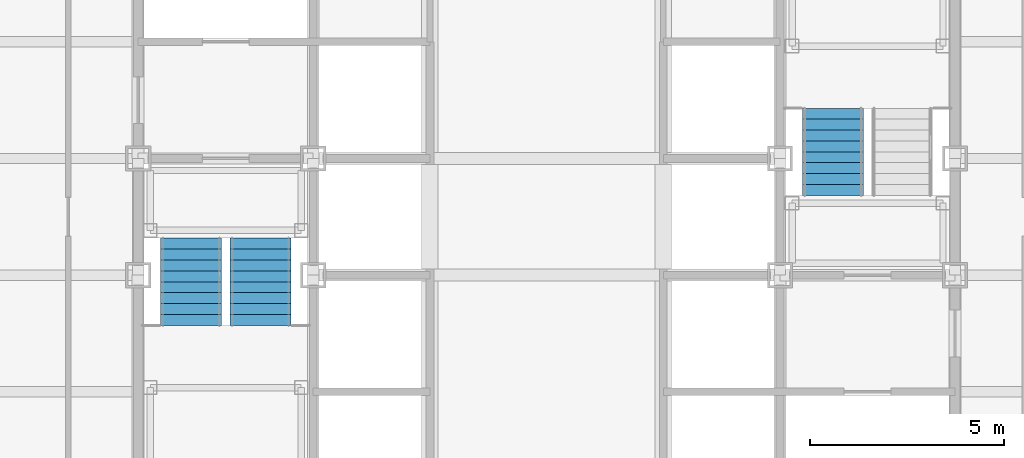
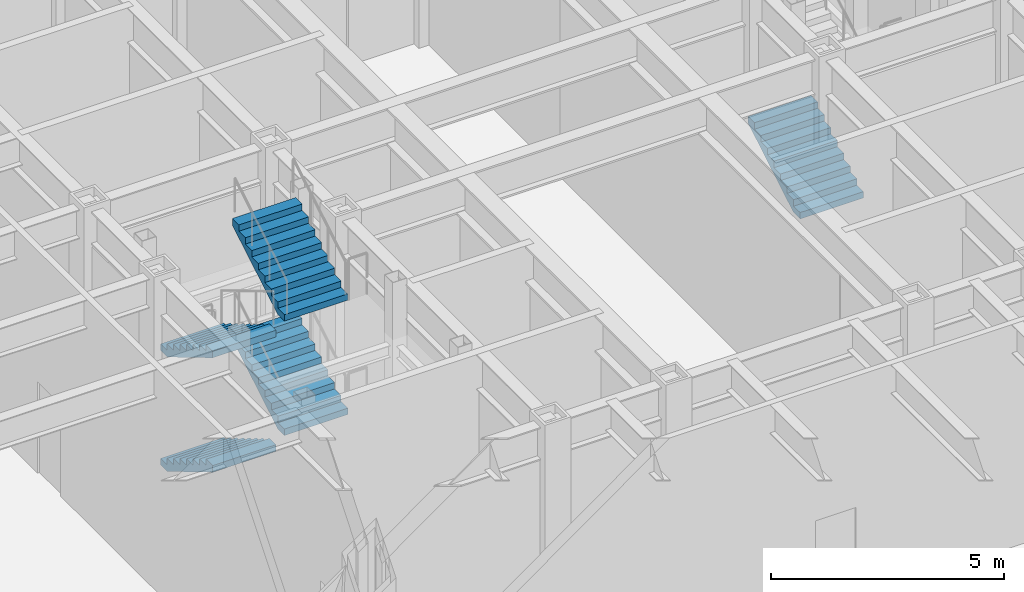
# One storey, part 19 of 28: 5 stair flights, 2 elements without a shape of their own.
"""IFC4 building model written with IfcOpenShell, lengths in metres."""

from ifc_helpers import new_model, si_unit, direction, frame, origin, place, context, subcontext, project, spatial, faceted_brep, material, type_object, element, aggregate, save


model = new_model("IFC4")

# Units and contexts
model_context = context("Model", 3, precision=1e-05, world=origin(), true_north=direction((0.0, 1.0)))
body_context = subcontext(model_context, "Body", "Model", "MODEL_VIEW")
ifc_project = project(units=[si_unit("LENGTHUNIT", "METRE"), si_unit("AREAUNIT", "SQUARE_METRE"), si_unit("VOLUMEUNIT", "CUBIC_METRE"), si_unit("PLANEANGLEUNIT", "RADIAN"), si_unit("MASSUNIT", "GRAM", prefix="KILO")], contexts=[model_context])

# Site, building, storey
site_placement = place(None, origin())
site = spatial("IfcSite", under=ifc_project, at=site_placement, CompositionType="ELEMENT")
building_placement = place(site_placement, origin())
building = spatial("IfcBuilding", under=site, at=building_placement, Name="Chuquiago Exchange Tower", CompositionType="ELEMENT")
storey_placement = place(building_placement, frame((0.0, 0.0, 174.0)))
storey = spatial("IfcBuildingStorey", under=building, at=storey_placement, Name="L38", CompositionType="ELEMENT", Elevation=174.0)

# Stair, stair flights
ifc_material_1 = material(Name="Concrete C30/37, precast", Category="concrete")
stair_type_1 = type_object("IfcStairType", Name="ST1 double half-turn stair 6000", PredefinedType="DOUBLE_RETURN_STAIR", material=ifc_material_1)
stair_1_placement = place(storey_placement, origin())
stair_1 = element("IfcStair", 1, at=stair_1_placement, inside=storey, type_object=stair_type_1, Name="Stair ST1 L38", PredefinedType="DOUBLE_RETURN_STAIR")
ifc_material_2 = material(Name="Concrete C30/37, precast", Category="concrete")
stair_flight_type = type_object("IfcStairFlightType", Name="ST-F flight 1570 for 6000 storey", PredefinedType="STRAIGHT", material=ifc_material_2)
stair_flight_1_placement = place(storey_placement, frame((13.360107421875, 21.949951171875, 0.0), z_axis=(0.0, 0.0, 1.0), x_axis=(0.0, -1.0, 0.0)))
stair_flight_1 = element("IfcStairFlight", 2, at=stair_flight_1_placement, type_object=stair_flight_type, Name="ST1 flight 1", NumberOfRisers=9, NumberOfTreads=8, PredefinedType="STRAIGHT", RiserHeight=0.166666667, TreadLength=0.28, context=body_context, shape_type="Brep", body=[
    faceted_brep([(0.0, 0.78515625, 0.0), (0.0, 0.78515625, 0.166748046875), (0.280029296875, 0.78515625, 0.166748046875), (0.280029296875, 0.78515625, 0.333251953125), (0.56005859375, 0.78515625, 0.333251953125), (0.56005859375, 0.78515625, 0.5), (0.840087890625, 0.78515625, 0.5), (0.840087890625, 0.78515625, 0.666748046875), (1.1201171875, 0.78515625, 0.666748046875), (1.1201171875, 0.78515625, 0.833251953125), (1.39990234375, 0.78515625, 0.833251953125), (1.39990234375, 0.78515625, 1.0), (1.679931640625, 0.78515625, 1.0), (1.679931640625, 0.78515625, 1.166748046875), (1.9599609375, 0.78515625, 1.166748046875), (1.9599609375, 0.78515625, 1.333251953125), (2.239990234375, 0.78515625, 1.333251953125), (2.239990234375, 0.78515625, 1.158935546875), (0.29296875, 0.78515625, 0.0), (0.29296875, -0.78515625, 0.0), (2.239990234375, -0.78515625, 1.158935546875), (2.239990234375, -0.78515625, 1.333251953125), (1.9599609375, -0.78515625, 1.333251953125), (1.9599609375, -0.78515625, 1.166748046875), (1.679931640625, -0.78515625, 1.166748046875), (1.679931640625, -0.78515625, 1.0), (1.39990234375, -0.78515625, 1.0), (1.39990234375, -0.78515625, 0.833251953125), (1.1201171875, -0.78515625, 0.833251953125), (1.1201171875, -0.78515625, 0.666748046875), (0.840087890625, -0.78515625, 0.666748046875), (0.840087890625, -0.78515625, 0.5), (0.56005859375, -0.78515625, 0.5), (0.56005859375, -0.78515625, 0.333251953125), (0.280029296875, -0.78515625, 0.333251953125), (0.280029296875, -0.78515625, 0.166748046875), (0.0, -0.78515625, 0.166748046875), (0.0, -0.78515625, 0.0), (0.0, 0.392578125, 0.0), (0.0, 0.392578125, 0.166748046875), (0.0, 0.0, 0.0), (0.0, 0.0, 0.166748046875), (0.0, -0.392578125, 0.0), (0.0, -0.392578125, 0.166748046875), (0.280029296875, 0.392578125, 0.166748046875), (0.280029296875, 0.0, 0.166748046875), (0.280029296875, -0.392578125, 0.166748046875), (0.280029296875, 0.392578125, 0.333251953125), (0.280029296875, 0.0, 0.333251953125), (0.280029296875, -0.392578125, 0.333251953125), (0.56005859375, 0.392578125, 0.333251953125), (0.56005859375, 0.0, 0.333251953125), (0.56005859375, -0.392578125, 0.333251953125), (0.56005859375, 0.392578125, 0.5), (0.56005859375, 0.0, 0.5), (0.56005859375, -0.392578125, 0.5), (0.840087890625, 0.392578125, 0.5), (0.840087890625, 0.0, 0.5), (0.840087890625, -0.392578125, 0.5), (0.840087890625, 0.392578125, 0.666748046875), (0.840087890625, 0.0, 0.666748046875), (0.840087890625, -0.392578125, 0.666748046875), (1.1201171875, 0.392578125, 0.666748046875), (1.1201171875, 0.0, 0.666748046875), (1.1201171875, -0.392578125, 0.666748046875), (1.1201171875, 0.392578125, 0.833251953125), (1.1201171875, 0.0, 0.833251953125), (1.1201171875, -0.392578125, 0.833251953125), (1.39990234375, 0.392578125, 0.833251953125), (1.39990234375, 0.0, 0.833251953125), (1.39990234375, -0.392578125, 0.833251953125), (1.39990234375, 0.392578125, 1.0), (1.39990234375, 0.0, 1.0), (1.39990234375, -0.392578125, 1.0), (1.679931640625, 0.392578125, 1.0), (1.679931640625, 0.0, 1.0), (1.679931640625, -0.392578125, 1.0), (1.679931640625, 0.392578125, 1.166748046875), (1.679931640625, 0.0, 1.166748046875), (1.679931640625, -0.392578125, 1.166748046875), (1.9599609375, 0.392578125, 1.166748046875), (1.9599609375, 0.0, 1.166748046875), (1.9599609375, -0.392578125, 1.166748046875), (1.9599609375, 0.392578125, 1.333251953125), (1.9599609375, 0.0, 1.333251953125), (1.9599609375, -0.392578125, 1.333251953125), (2.239990234375, 0.392578125, 1.333251953125), (2.239990234375, 0.0, 1.333251953125), (2.239990234375, -0.392578125, 1.333251953125), (2.239990234375, 0.392578125, 1.158935546875), (2.239990234375, 0.0, 1.158935546875), (2.239990234375, -0.392578125, 1.158935546875), (0.29296875, 0.392578125, 0.0), (0.29296875, 0.0, 0.0), (0.29296875, -0.392578125, 0.0)], [[[0, 1, 2, 3, 4, 5, 6, 7, 8, 9, 10, 11, 12, 13, 14, 15, 16, 17, 18]], [[19, 20, 21, 22, 23, 24, 25, 26, 27, 28, 29, 30, 31, 32, 33, 34, 35, 36, 37]], [[1, 0, 38, 39]], [[39, 38, 40, 41]], [[41, 40, 42, 43]], [[43, 42, 37, 36]], [[2, 1, 39, 44]], [[44, 39, 41, 45]], [[45, 41, 43, 46]], [[46, 43, 36, 35]], [[3, 2, 44, 47]], [[47, 44, 45, 48]], [[48, 45, 46, 49]], [[49, 46, 35, 34]], [[4, 3, 47, 50]], [[50, 47, 48, 51]], [[51, 48, 49, 52]], [[52, 49, 34, 33]], [[5, 4, 50, 53]], [[53, 50, 51, 54]], [[54, 51, 52, 55]], [[55, 52, 33, 32]], [[6, 5, 53, 56]], [[56, 53, 54, 57]], [[57, 54, 55, 58]], [[58, 55, 32, 31]], [[7, 6, 56, 59]], [[59, 56, 57, 60]], [[60, 57, 58, 61]], [[61, 58, 31, 30]], [[8, 7, 59, 62]], [[62, 59, 60, 63]], [[63, 60, 61, 64]], [[64, 61, 30, 29]], [[9, 8, 62, 65]], [[65, 62, 63, 66]], [[66, 63, 64, 67]], [[67, 64, 29, 28]], [[10, 9, 65, 68]], [[68, 65, 66, 69]], [[69, 66, 67, 70]], [[70, 67, 28, 27]], [[11, 10, 68, 71]], [[71, 68, 69, 72]], [[72, 69, 70, 73]], [[73, 70, 27, 26]], [[12, 11, 71, 74]], [[74, 71, 72, 75]], [[75, 72, 73, 76]], [[76, 73, 26, 25]], [[13, 12, 74, 77]], [[77, 74, 75, 78]], [[78, 75, 76, 79]], [[79, 76, 25, 24]], [[14, 13, 77, 80]], [[80, 77, 78, 81]], [[81, 78, 79, 82]], [[82, 79, 24, 23]], [[15, 14, 80, 83]], [[83, 80, 81, 84]], [[84, 81, 82, 85]], [[85, 82, 23, 22]], [[16, 15, 83, 86]], [[86, 83, 84, 87]], [[87, 84, 85, 88]], [[88, 85, 22, 21]], [[17, 16, 86, 89]], [[89, 86, 87, 90]], [[90, 87, 88, 91]], [[91, 88, 21, 20]], [[18, 17, 89, 92]], [[92, 89, 90, 93]], [[93, 90, 91, 94]], [[94, 91, 20, 19]], [[0, 18, 92, 38]], [[38, 92, 93, 40]], [[40, 93, 94, 42]], [[42, 94, 19, 37]]]),
])
stair_flight_2_placement = place(storey_placement, frame((15.139892578125, 19.7099609375, 1.5), z_axis=(0.0, 0.0, 1.0), x_axis=(0.0, 1.0, 0.0)))
stair_flight_2 = element("IfcStairFlight", 3, at=stair_flight_2_placement, type_object=stair_flight_type, Name="ST1 flight 2", NumberOfRisers=9, NumberOfTreads=8, PredefinedType="STRAIGHT", RiserHeight=0.166666667, TreadLength=0.28, context=body_context, shape_type="Brep", body=[
    faceted_brep([(0.0, 0.78515625, 0.0), (0.0, 0.78515625, 0.166748046875), (0.280029296875, 0.78515625, 0.166748046875), (0.280029296875, 0.78515625, 0.333251953125), (0.56005859375, 0.78515625, 0.333251953125), (0.56005859375, 0.78515625, 0.5), (0.840087890625, 0.78515625, 0.5), (0.840087890625, 0.78515625, 0.666748046875), (1.1201171875, 0.78515625, 0.666748046875), (1.1201171875, 0.78515625, 0.833251953125), (1.39990234375, 0.78515625, 0.833251953125), (1.39990234375, 0.78515625, 1.0), (1.679931640625, 0.78515625, 1.0), (1.679931640625, 0.78515625, 1.166748046875), (1.9599609375, 0.78515625, 1.166748046875), (1.9599609375, 0.78515625, 1.333251953125), (2.239990234375, 0.78515625, 1.333251953125), (2.239990234375, 0.78515625, 1.158935546875), (0.29296875, 0.78515625, 0.0), (0.29296875, -0.78515625, 0.0), (2.239990234375, -0.78515625, 1.158935546875), (2.239990234375, -0.78515625, 1.333251953125), (1.9599609375, -0.78515625, 1.333251953125), (1.9599609375, -0.78515625, 1.166748046875), (1.679931640625, -0.78515625, 1.166748046875), (1.679931640625, -0.78515625, 1.0), (1.39990234375, -0.78515625, 1.0), (1.39990234375, -0.78515625, 0.833251953125), (1.1201171875, -0.78515625, 0.833251953125), (1.1201171875, -0.78515625, 0.666748046875), (0.840087890625, -0.78515625, 0.666748046875), (0.840087890625, -0.78515625, 0.5), (0.56005859375, -0.78515625, 0.5), (0.56005859375, -0.78515625, 0.333251953125), (0.280029296875, -0.78515625, 0.333251953125), (0.280029296875, -0.78515625, 0.166748046875), (0.0, -0.78515625, 0.166748046875), (0.0, -0.78515625, 0.0), (0.0, 0.392578125, 0.0), (0.0, 0.392578125, 0.166748046875), (0.0, 0.0, 0.0), (0.0, 0.0, 0.166748046875), (0.0, -0.392578125, 0.0), (0.0, -0.392578125, 0.166748046875), (0.280029296875, 0.392578125, 0.166748046875), (0.280029296875, 0.0, 0.166748046875), (0.280029296875, -0.392578125, 0.166748046875), (0.280029296875, 0.392578125, 0.333251953125), (0.280029296875, 0.0, 0.333251953125), (0.280029296875, -0.392578125, 0.333251953125), (0.56005859375, 0.392578125, 0.333251953125), (0.56005859375, 0.0, 0.333251953125), (0.56005859375, -0.392578125, 0.333251953125), (0.56005859375, 0.392578125, 0.5), (0.56005859375, 0.0, 0.5), (0.56005859375, -0.392578125, 0.5), (0.840087890625, 0.392578125, 0.5), (0.840087890625, 0.0, 0.5), (0.840087890625, -0.392578125, 0.5), (0.840087890625, 0.392578125, 0.666748046875), (0.840087890625, 0.0, 0.666748046875), (0.840087890625, -0.392578125, 0.666748046875), (1.1201171875, 0.392578125, 0.666748046875), (1.1201171875, 0.0, 0.666748046875), (1.1201171875, -0.392578125, 0.666748046875), (1.1201171875, 0.392578125, 0.833251953125), (1.1201171875, 0.0, 0.833251953125), (1.1201171875, -0.392578125, 0.833251953125), (1.39990234375, 0.392578125, 0.833251953125), (1.39990234375, 0.0, 0.833251953125), (1.39990234375, -0.392578125, 0.833251953125), (1.39990234375, 0.392578125, 1.0), (1.39990234375, 0.0, 1.0), (1.39990234375, -0.392578125, 1.0), (1.679931640625, 0.392578125, 1.0), (1.679931640625, 0.0, 1.0), (1.679931640625, -0.392578125, 1.0), (1.679931640625, 0.392578125, 1.166748046875), (1.679931640625, 0.0, 1.166748046875), (1.679931640625, -0.392578125, 1.166748046875), (1.9599609375, 0.392578125, 1.166748046875), (1.9599609375, 0.0, 1.166748046875), (1.9599609375, -0.392578125, 1.166748046875), (1.9599609375, 0.392578125, 1.333251953125), (1.9599609375, 0.0, 1.333251953125), (1.9599609375, -0.392578125, 1.333251953125), (2.239990234375, 0.392578125, 1.333251953125), (2.239990234375, 0.0, 1.333251953125), (2.239990234375, -0.392578125, 1.333251953125), (2.239990234375, 0.392578125, 1.158935546875), (2.239990234375, 0.0, 1.158935546875), (2.239990234375, -0.392578125, 1.158935546875), (0.29296875, 0.392578125, 0.0), (0.29296875, 0.0, 0.0), (0.29296875, -0.392578125, 0.0)], [[[0, 1, 2, 3, 4, 5, 6, 7, 8, 9, 10, 11, 12, 13, 14, 15, 16, 17, 18]], [[19, 20, 21, 22, 23, 24, 25, 26, 27, 28, 29, 30, 31, 32, 33, 34, 35, 36, 37]], [[1, 0, 38, 39]], [[39, 38, 40, 41]], [[41, 40, 42, 43]], [[43, 42, 37, 36]], [[2, 1, 39, 44]], [[44, 39, 41, 45]], [[45, 41, 43, 46]], [[46, 43, 36, 35]], [[3, 2, 44, 47]], [[47, 44, 45, 48]], [[48, 45, 46, 49]], [[49, 46, 35, 34]], [[4, 3, 47, 50]], [[50, 47, 48, 51]], [[51, 48, 49, 52]], [[52, 49, 34, 33]], [[5, 4, 50, 53]], [[53, 50, 51, 54]], [[54, 51, 52, 55]], [[55, 52, 33, 32]], [[6, 5, 53, 56]], [[56, 53, 54, 57]], [[57, 54, 55, 58]], [[58, 55, 32, 31]], [[7, 6, 56, 59]], [[59, 56, 57, 60]], [[60, 57, 58, 61]], [[61, 58, 31, 30]], [[8, 7, 59, 62]], [[62, 59, 60, 63]], [[63, 60, 61, 64]], [[64, 61, 30, 29]], [[9, 8, 62, 65]], [[65, 62, 63, 66]], [[66, 63, 64, 67]], [[67, 64, 29, 28]], [[10, 9, 65, 68]], [[68, 65, 66, 69]], [[69, 66, 67, 70]], [[70, 67, 28, 27]], [[11, 10, 68, 71]], [[71, 68, 69, 72]], [[72, 69, 70, 73]], [[73, 70, 27, 26]], [[12, 11, 71, 74]], [[74, 71, 72, 75]], [[75, 72, 73, 76]], [[76, 73, 26, 25]], [[13, 12, 74, 77]], [[77, 74, 75, 78]], [[78, 75, 76, 79]], [[79, 76, 25, 24]], [[14, 13, 77, 80]], [[80, 77, 78, 81]], [[81, 78, 79, 82]], [[82, 79, 24, 23]], [[15, 14, 80, 83]], [[83, 80, 81, 84]], [[84, 81, 82, 85]], [[85, 82, 23, 22]], [[16, 15, 83, 86]], [[86, 83, 84, 87]], [[87, 84, 85, 88]], [[88, 85, 22, 21]], [[17, 16, 86, 89]], [[89, 86, 87, 90]], [[90, 87, 88, 91]], [[91, 88, 21, 20]], [[18, 17, 89, 92]], [[92, 89, 90, 93]], [[93, 90, 91, 94]], [[94, 91, 20, 19]], [[0, 18, 92, 38]], [[38, 92, 93, 40]], [[40, 93, 94, 42]], [[42, 94, 19, 37]]]),
])
stair_flight_3_placement = place(storey_placement, frame((13.360107421875, 21.949951171875, 3.0), z_axis=(0.0, 0.0, 1.0), x_axis=(0.0, -1.0, 0.0)))
stair_flight_3 = element("IfcStairFlight", 4, at=stair_flight_3_placement, type_object=stair_flight_type, Name="ST1 flight 3", NumberOfRisers=9, NumberOfTreads=8, PredefinedType="STRAIGHT", RiserHeight=0.166666667, TreadLength=0.28, context=body_context, shape_type="Brep", body=[
    faceted_brep([(0.0, 0.78515625, 0.0), (0.0, 0.78515625, 0.166748046875), (0.280029296875, 0.78515625, 0.166748046875), (0.280029296875, 0.78515625, 0.333251953125), (0.56005859375, 0.78515625, 0.333251953125), (0.56005859375, 0.78515625, 0.5), (0.840087890625, 0.78515625, 0.5), (0.840087890625, 0.78515625, 0.666748046875), (1.1201171875, 0.78515625, 0.666748046875), (1.1201171875, 0.78515625, 0.833251953125), (1.39990234375, 0.78515625, 0.833251953125), (1.39990234375, 0.78515625, 1.0), (1.679931640625, 0.78515625, 1.0), (1.679931640625, 0.78515625, 1.166748046875), (1.9599609375, 0.78515625, 1.166748046875), (1.9599609375, 0.78515625, 1.333251953125), (2.239990234375, 0.78515625, 1.333251953125), (2.239990234375, 0.78515625, 1.158935546875), (0.29296875, 0.78515625, 0.0), (0.29296875, -0.78515625, 0.0), (2.239990234375, -0.78515625, 1.158935546875), (2.239990234375, -0.78515625, 1.333251953125), (1.9599609375, -0.78515625, 1.333251953125), (1.9599609375, -0.78515625, 1.166748046875), (1.679931640625, -0.78515625, 1.166748046875), (1.679931640625, -0.78515625, 1.0), (1.39990234375, -0.78515625, 1.0), (1.39990234375, -0.78515625, 0.833251953125), (1.1201171875, -0.78515625, 0.833251953125), (1.1201171875, -0.78515625, 0.666748046875), (0.840087890625, -0.78515625, 0.666748046875), (0.840087890625, -0.78515625, 0.5), (0.56005859375, -0.78515625, 0.5), (0.56005859375, -0.78515625, 0.333251953125), (0.280029296875, -0.78515625, 0.333251953125), (0.280029296875, -0.78515625, 0.166748046875), (0.0, -0.78515625, 0.166748046875), (0.0, -0.78515625, 0.0), (0.0, 0.392578125, 0.0), (0.0, 0.392578125, 0.166748046875), (0.0, 0.0, 0.0), (0.0, 0.0, 0.166748046875), (0.0, -0.392578125, 0.0), (0.0, -0.392578125, 0.166748046875), (0.280029296875, 0.392578125, 0.166748046875), (0.280029296875, 0.0, 0.166748046875), (0.280029296875, -0.392578125, 0.166748046875), (0.280029296875, 0.392578125, 0.333251953125), (0.280029296875, 0.0, 0.333251953125), (0.280029296875, -0.392578125, 0.333251953125), (0.56005859375, 0.392578125, 0.333251953125), (0.56005859375, 0.0, 0.333251953125), (0.56005859375, -0.392578125, 0.333251953125), (0.56005859375, 0.392578125, 0.5), (0.56005859375, 0.0, 0.5), (0.56005859375, -0.392578125, 0.5), (0.840087890625, 0.392578125, 0.5), (0.840087890625, 0.0, 0.5), (0.840087890625, -0.392578125, 0.5), (0.840087890625, 0.392578125, 0.666748046875), (0.840087890625, 0.0, 0.666748046875), (0.840087890625, -0.392578125, 0.666748046875), (1.1201171875, 0.392578125, 0.666748046875), (1.1201171875, 0.0, 0.666748046875), (1.1201171875, -0.392578125, 0.666748046875), (1.1201171875, 0.392578125, 0.833251953125), (1.1201171875, 0.0, 0.833251953125), (1.1201171875, -0.392578125, 0.833251953125), (1.39990234375, 0.392578125, 0.833251953125), (1.39990234375, 0.0, 0.833251953125), (1.39990234375, -0.392578125, 0.833251953125), (1.39990234375, 0.392578125, 1.0), (1.39990234375, 0.0, 1.0), (1.39990234375, -0.392578125, 1.0), (1.679931640625, 0.392578125, 1.0), (1.679931640625, 0.0, 1.0), (1.679931640625, -0.392578125, 1.0), (1.679931640625, 0.392578125, 1.166748046875), (1.679931640625, 0.0, 1.166748046875), (1.679931640625, -0.392578125, 1.166748046875), (1.9599609375, 0.392578125, 1.166748046875), (1.9599609375, 0.0, 1.166748046875), (1.9599609375, -0.392578125, 1.166748046875), (1.9599609375, 0.392578125, 1.333251953125), (1.9599609375, 0.0, 1.333251953125), (1.9599609375, -0.392578125, 1.333251953125), (2.239990234375, 0.392578125, 1.333251953125), (2.239990234375, 0.0, 1.333251953125), (2.239990234375, -0.392578125, 1.333251953125), (2.239990234375, 0.392578125, 1.158935546875), (2.239990234375, 0.0, 1.158935546875), (2.239990234375, -0.392578125, 1.158935546875), (0.29296875, 0.392578125, 0.0), (0.29296875, 0.0, 0.0), (0.29296875, -0.392578125, 0.0)], [[[0, 1, 2, 3, 4, 5, 6, 7, 8, 9, 10, 11, 12, 13, 14, 15, 16, 17, 18]], [[19, 20, 21, 22, 23, 24, 25, 26, 27, 28, 29, 30, 31, 32, 33, 34, 35, 36, 37]], [[1, 0, 38, 39]], [[39, 38, 40, 41]], [[41, 40, 42, 43]], [[43, 42, 37, 36]], [[2, 1, 39, 44]], [[44, 39, 41, 45]], [[45, 41, 43, 46]], [[46, 43, 36, 35]], [[3, 2, 44, 47]], [[47, 44, 45, 48]], [[48, 45, 46, 49]], [[49, 46, 35, 34]], [[4, 3, 47, 50]], [[50, 47, 48, 51]], [[51, 48, 49, 52]], [[52, 49, 34, 33]], [[5, 4, 50, 53]], [[53, 50, 51, 54]], [[54, 51, 52, 55]], [[55, 52, 33, 32]], [[6, 5, 53, 56]], [[56, 53, 54, 57]], [[57, 54, 55, 58]], [[58, 55, 32, 31]], [[7, 6, 56, 59]], [[59, 56, 57, 60]], [[60, 57, 58, 61]], [[61, 58, 31, 30]], [[8, 7, 59, 62]], [[62, 59, 60, 63]], [[63, 60, 61, 64]], [[64, 61, 30, 29]], [[9, 8, 62, 65]], [[65, 62, 63, 66]], [[66, 63, 64, 67]], [[67, 64, 29, 28]], [[10, 9, 65, 68]], [[68, 65, 66, 69]], [[69, 66, 67, 70]], [[70, 67, 28, 27]], [[11, 10, 68, 71]], [[71, 68, 69, 72]], [[72, 69, 70, 73]], [[73, 70, 27, 26]], [[12, 11, 71, 74]], [[74, 71, 72, 75]], [[75, 72, 73, 76]], [[76, 73, 26, 25]], [[13, 12, 74, 77]], [[77, 74, 75, 78]], [[78, 75, 76, 79]], [[79, 76, 25, 24]], [[14, 13, 77, 80]], [[80, 77, 78, 81]], [[81, 78, 79, 82]], [[82, 79, 24, 23]], [[15, 14, 80, 83]], [[83, 80, 81, 84]], [[84, 81, 82, 85]], [[85, 82, 23, 22]], [[16, 15, 83, 86]], [[86, 83, 84, 87]], [[87, 84, 85, 88]], [[88, 85, 22, 21]], [[17, 16, 86, 89]], [[89, 86, 87, 90]], [[90, 87, 88, 91]], [[91, 88, 21, 20]], [[18, 17, 89, 92]], [[92, 89, 90, 93]], [[93, 90, 91, 94]], [[94, 91, 20, 19]], [[0, 18, 92, 38]], [[38, 92, 93, 40]], [[40, 93, 94, 42]], [[42, 94, 19, 37]]]),
])
stair_flight_4_placement = place(storey_placement, frame((15.139892578125, 19.7099609375, 4.5), z_axis=(0.0, 0.0, 1.0), x_axis=(0.0, 1.0, 0.0)))
stair_flight_4 = element("IfcStairFlight", 5, at=stair_flight_4_placement, type_object=stair_flight_type, Name="ST1 flight 4", NumberOfRisers=9, NumberOfTreads=8, PredefinedType="STRAIGHT", RiserHeight=0.166666667, TreadLength=0.28, context=body_context, shape_type="Brep", body=[
    faceted_brep([(0.0, 0.78515625, 0.0), (0.0, 0.78515625, 0.166748046875), (0.280029296875, 0.78515625, 0.166748046875), (0.280029296875, 0.78515625, 0.333251953125), (0.56005859375, 0.78515625, 0.333251953125), (0.56005859375, 0.78515625, 0.5), (0.840087890625, 0.78515625, 0.5), (0.840087890625, 0.78515625, 0.666748046875), (1.1201171875, 0.78515625, 0.666748046875), (1.1201171875, 0.78515625, 0.833251953125), (1.39990234375, 0.78515625, 0.833251953125), (1.39990234375, 0.78515625, 1.0), (1.679931640625, 0.78515625, 1.0), (1.679931640625, 0.78515625, 1.166748046875), (1.9599609375, 0.78515625, 1.166748046875), (1.9599609375, 0.78515625, 1.333251953125), (2.239990234375, 0.78515625, 1.333251953125), (2.239990234375, 0.78515625, 1.158935546875), (0.29296875, 0.78515625, 0.0), (0.29296875, -0.78515625, 0.0), (2.239990234375, -0.78515625, 1.158935546875), (2.239990234375, -0.78515625, 1.333251953125), (1.9599609375, -0.78515625, 1.333251953125), (1.9599609375, -0.78515625, 1.166748046875), (1.679931640625, -0.78515625, 1.166748046875), (1.679931640625, -0.78515625, 1.0), (1.39990234375, -0.78515625, 1.0), (1.39990234375, -0.78515625, 0.833251953125), (1.1201171875, -0.78515625, 0.833251953125), (1.1201171875, -0.78515625, 0.666748046875), (0.840087890625, -0.78515625, 0.666748046875), (0.840087890625, -0.78515625, 0.5), (0.56005859375, -0.78515625, 0.5), (0.56005859375, -0.78515625, 0.333251953125), (0.280029296875, -0.78515625, 0.333251953125), (0.280029296875, -0.78515625, 0.166748046875), (0.0, -0.78515625, 0.166748046875), (0.0, -0.78515625, 0.0), (0.0, 0.392578125, 0.0), (0.0, 0.392578125, 0.166748046875), (0.0, 0.0, 0.0), (0.0, 0.0, 0.166748046875), (0.0, -0.392578125, 0.0), (0.0, -0.392578125, 0.166748046875), (0.280029296875, 0.392578125, 0.166748046875), (0.280029296875, 0.0, 0.166748046875), (0.280029296875, -0.392578125, 0.166748046875), (0.280029296875, 0.392578125, 0.333251953125), (0.280029296875, 0.0, 0.333251953125), (0.280029296875, -0.392578125, 0.333251953125), (0.56005859375, 0.392578125, 0.333251953125), (0.56005859375, 0.0, 0.333251953125), (0.56005859375, -0.392578125, 0.333251953125), (0.56005859375, 0.392578125, 0.5), (0.56005859375, 0.0, 0.5), (0.56005859375, -0.392578125, 0.5), (0.840087890625, 0.392578125, 0.5), (0.840087890625, 0.0, 0.5), (0.840087890625, -0.392578125, 0.5), (0.840087890625, 0.392578125, 0.666748046875), (0.840087890625, 0.0, 0.666748046875), (0.840087890625, -0.392578125, 0.666748046875), (1.1201171875, 0.392578125, 0.666748046875), (1.1201171875, 0.0, 0.666748046875), (1.1201171875, -0.392578125, 0.666748046875), (1.1201171875, 0.392578125, 0.833251953125), (1.1201171875, 0.0, 0.833251953125), (1.1201171875, -0.392578125, 0.833251953125), (1.39990234375, 0.392578125, 0.833251953125), (1.39990234375, 0.0, 0.833251953125), (1.39990234375, -0.392578125, 0.833251953125), (1.39990234375, 0.392578125, 1.0), (1.39990234375, 0.0, 1.0), (1.39990234375, -0.392578125, 1.0), (1.679931640625, 0.392578125, 1.0), (1.679931640625, 0.0, 1.0), (1.679931640625, -0.392578125, 1.0), (1.679931640625, 0.392578125, 1.166748046875), (1.679931640625, 0.0, 1.166748046875), (1.679931640625, -0.392578125, 1.166748046875), (1.9599609375, 0.392578125, 1.166748046875), (1.9599609375, 0.0, 1.166748046875), (1.9599609375, -0.392578125, 1.166748046875), (1.9599609375, 0.392578125, 1.333251953125), (1.9599609375, 0.0, 1.333251953125), (1.9599609375, -0.392578125, 1.333251953125), (2.239990234375, 0.392578125, 1.333251953125), (2.239990234375, 0.0, 1.333251953125), (2.239990234375, -0.392578125, 1.333251953125), (2.239990234375, 0.392578125, 1.158935546875), (2.239990234375, 0.0, 1.158935546875), (2.239990234375, -0.392578125, 1.158935546875), (0.29296875, 0.392578125, 0.0), (0.29296875, 0.0, 0.0), (0.29296875, -0.392578125, 0.0)], [[[0, 1, 2, 3, 4, 5, 6, 7, 8, 9, 10, 11, 12, 13, 14, 15, 16, 17, 18]], [[19, 20, 21, 22, 23, 24, 25, 26, 27, 28, 29, 30, 31, 32, 33, 34, 35, 36, 37]], [[1, 0, 38, 39]], [[39, 38, 40, 41]], [[41, 40, 42, 43]], [[43, 42, 37, 36]], [[2, 1, 39, 44]], [[44, 39, 41, 45]], [[45, 41, 43, 46]], [[46, 43, 36, 35]], [[3, 2, 44, 47]], [[47, 44, 45, 48]], [[48, 45, 46, 49]], [[49, 46, 35, 34]], [[4, 3, 47, 50]], [[50, 47, 48, 51]], [[51, 48, 49, 52]], [[52, 49, 34, 33]], [[5, 4, 50, 53]], [[53, 50, 51, 54]], [[54, 51, 52, 55]], [[55, 52, 33, 32]], [[6, 5, 53, 56]], [[56, 53, 54, 57]], [[57, 54, 55, 58]], [[58, 55, 32, 31]], [[7, 6, 56, 59]], [[59, 56, 57, 60]], [[60, 57, 58, 61]], [[61, 58, 31, 30]], [[8, 7, 59, 62]], [[62, 59, 60, 63]], [[63, 60, 61, 64]], [[64, 61, 30, 29]], [[9, 8, 62, 65]], [[65, 62, 63, 66]], [[66, 63, 64, 67]], [[67, 64, 29, 28]], [[10, 9, 65, 68]], [[68, 65, 66, 69]], [[69, 66, 67, 70]], [[70, 67, 28, 27]], [[11, 10, 68, 71]], [[71, 68, 69, 72]], [[72, 69, 70, 73]], [[73, 70, 27, 26]], [[12, 11, 71, 74]], [[74, 71, 72, 75]], [[75, 72, 73, 76]], [[76, 73, 26, 25]], [[13, 12, 74, 77]], [[77, 74, 75, 78]], [[78, 75, 76, 79]], [[79, 76, 25, 24]], [[14, 13, 77, 80]], [[80, 77, 78, 81]], [[81, 78, 79, 82]], [[82, 79, 24, 23]], [[15, 14, 80, 83]], [[83, 80, 81, 84]], [[84, 81, 82, 85]], [[85, 82, 23, 22]], [[16, 15, 83, 86]], [[86, 83, 84, 87]], [[87, 84, 85, 88]], [[88, 85, 22, 21]], [[17, 16, 86, 89]], [[89, 86, 87, 90]], [[90, 87, 88, 91]], [[91, 88, 21, 20]], [[18, 17, 89, 92]], [[92, 89, 90, 93]], [[93, 90, 91, 94]], [[94, 91, 20, 19]], [[0, 18, 92, 38]], [[38, 92, 93, 40]], [[40, 93, 94, 42]], [[42, 94, 19, 37]]]),
])
aggregate(stair_1, [stair_flight_1, stair_flight_2, stair_flight_3, stair_flight_4])

# Stair, stair flight
ifc_material_3 = material(Name="Concrete C30/37, precast", Category="concrete")
stair_type_2 = type_object("IfcStairType", Name="ST2 double half-turn stair 6000", PredefinedType="DOUBLE_RETURN_STAIR", material=ifc_material_3)
stair_2_placement = place(storey_placement, origin())
stair_2 = element("IfcStair", 6, at=stair_2_placement, inside=storey, type_object=stair_type_2, Name="Stair ST2 L38", PredefinedType="DOUBLE_RETURN_STAIR")
stair_flight_5_placement = place(storey_placement, frame((29.860107421875, 23.050048828125, 0.0), z_axis=(0.0, 0.0, 1.0), x_axis=(0.0, 1.0, 0.0)))
stair_flight_5 = element("IfcStairFlight", 7, at=stair_flight_5_placement, type_object=stair_flight_type, Name="ST2 flight 1", NumberOfRisers=9, NumberOfTreads=8, PredefinedType="STRAIGHT", RiserHeight=0.166666667, TreadLength=0.28, context=body_context, shape_type="Brep", body=[
    faceted_brep([(0.0, 0.78515625, 0.0), (0.0, 0.78515625, 0.166748046875), (0.280029296875, 0.78515625, 0.166748046875), (0.280029296875, 0.78515625, 0.333251953125), (0.56005859375, 0.78515625, 0.333251953125), (0.56005859375, 0.78515625, 0.5), (0.840087890625, 0.78515625, 0.5), (0.840087890625, 0.78515625, 0.666748046875), (1.1201171875, 0.78515625, 0.666748046875), (1.1201171875, 0.78515625, 0.833251953125), (1.39990234375, 0.78515625, 0.833251953125), (1.39990234375, 0.78515625, 1.0), (1.679931640625, 0.78515625, 1.0), (1.679931640625, 0.78515625, 1.166748046875), (1.9599609375, 0.78515625, 1.166748046875), (1.9599609375, 0.78515625, 1.333251953125), (2.239990234375, 0.78515625, 1.333251953125), (2.239990234375, 0.78515625, 1.158935546875), (0.29296875, 0.78515625, 0.0), (0.29296875, -0.78515625, 0.0), (2.239990234375, -0.78515625, 1.158935546875), (2.239990234375, -0.78515625, 1.333251953125), (1.9599609375, -0.78515625, 1.333251953125), (1.9599609375, -0.78515625, 1.166748046875), (1.679931640625, -0.78515625, 1.166748046875), (1.679931640625, -0.78515625, 1.0), (1.39990234375, -0.78515625, 1.0), (1.39990234375, -0.78515625, 0.833251953125), (1.1201171875, -0.78515625, 0.833251953125), (1.1201171875, -0.78515625, 0.666748046875), (0.840087890625, -0.78515625, 0.666748046875), (0.840087890625, -0.78515625, 0.5), (0.56005859375, -0.78515625, 0.5), (0.56005859375, -0.78515625, 0.333251953125), (0.280029296875, -0.78515625, 0.333251953125), (0.280029296875, -0.78515625, 0.166748046875), (0.0, -0.78515625, 0.166748046875), (0.0, -0.78515625, 0.0), (0.0, 0.392578125, 0.0), (0.0, 0.392578125, 0.166748046875), (0.0, 0.0, 0.0), (0.0, 0.0, 0.166748046875), (0.0, -0.392578125, 0.0), (0.0, -0.392578125, 0.166748046875), (0.280029296875, 0.392578125, 0.166748046875), (0.280029296875, 0.0, 0.166748046875), (0.280029296875, -0.392578125, 0.166748046875), (0.280029296875, 0.392578125, 0.333251953125), (0.280029296875, 0.0, 0.333251953125), (0.280029296875, -0.392578125, 0.333251953125), (0.56005859375, 0.392578125, 0.333251953125), (0.56005859375, 0.0, 0.333251953125), (0.56005859375, -0.392578125, 0.333251953125), (0.56005859375, 0.392578125, 0.5), (0.56005859375, 0.0, 0.5), (0.56005859375, -0.392578125, 0.5), (0.840087890625, 0.392578125, 0.5), (0.840087890625, 0.0, 0.5), (0.840087890625, -0.392578125, 0.5), (0.840087890625, 0.392578125, 0.666748046875), (0.840087890625, 0.0, 0.666748046875), (0.840087890625, -0.392578125, 0.666748046875), (1.1201171875, 0.392578125, 0.666748046875), (1.1201171875, 0.0, 0.666748046875), (1.1201171875, -0.392578125, 0.666748046875), (1.1201171875, 0.392578125, 0.833251953125), (1.1201171875, 0.0, 0.833251953125), (1.1201171875, -0.392578125, 0.833251953125), (1.39990234375, 0.392578125, 0.833251953125), (1.39990234375, 0.0, 0.833251953125), (1.39990234375, -0.392578125, 0.833251953125), (1.39990234375, 0.392578125, 1.0), (1.39990234375, 0.0, 1.0), (1.39990234375, -0.392578125, 1.0), (1.679931640625, 0.392578125, 1.0), (1.679931640625, 0.0, 1.0), (1.679931640625, -0.392578125, 1.0), (1.679931640625, 0.392578125, 1.166748046875), (1.679931640625, 0.0, 1.166748046875), (1.679931640625, -0.392578125, 1.166748046875), (1.9599609375, 0.392578125, 1.166748046875), (1.9599609375, 0.0, 1.166748046875), (1.9599609375, -0.392578125, 1.166748046875), (1.9599609375, 0.392578125, 1.333251953125), (1.9599609375, 0.0, 1.333251953125), (1.9599609375, -0.392578125, 1.333251953125), (2.239990234375, 0.392578125, 1.333251953125), (2.239990234375, 0.0, 1.333251953125), (2.239990234375, -0.392578125, 1.333251953125), (2.239990234375, 0.392578125, 1.158935546875), (2.239990234375, 0.0, 1.158935546875), (2.239990234375, -0.392578125, 1.158935546875), (0.29296875, 0.392578125, 0.0), (0.29296875, 0.0, 0.0), (0.29296875, -0.392578125, 0.0)], [[[0, 1, 2, 3, 4, 5, 6, 7, 8, 9, 10, 11, 12, 13, 14, 15, 16, 17, 18]], [[19, 20, 21, 22, 23, 24, 25, 26, 27, 28, 29, 30, 31, 32, 33, 34, 35, 36, 37]], [[1, 0, 38, 39]], [[39, 38, 40, 41]], [[41, 40, 42, 43]], [[43, 42, 37, 36]], [[2, 1, 39, 44]], [[44, 39, 41, 45]], [[45, 41, 43, 46]], [[46, 43, 36, 35]], [[3, 2, 44, 47]], [[47, 44, 45, 48]], [[48, 45, 46, 49]], [[49, 46, 35, 34]], [[4, 3, 47, 50]], [[50, 47, 48, 51]], [[51, 48, 49, 52]], [[52, 49, 34, 33]], [[5, 4, 50, 53]], [[53, 50, 51, 54]], [[54, 51, 52, 55]], [[55, 52, 33, 32]], [[6, 5, 53, 56]], [[56, 53, 54, 57]], [[57, 54, 55, 58]], [[58, 55, 32, 31]], [[7, 6, 56, 59]], [[59, 56, 57, 60]], [[60, 57, 58, 61]], [[61, 58, 31, 30]], [[8, 7, 59, 62]], [[62, 59, 60, 63]], [[63, 60, 61, 64]], [[64, 61, 30, 29]], [[9, 8, 62, 65]], [[65, 62, 63, 66]], [[66, 63, 64, 67]], [[67, 64, 29, 28]], [[10, 9, 65, 68]], [[68, 65, 66, 69]], [[69, 66, 67, 70]], [[70, 67, 28, 27]], [[11, 10, 68, 71]], [[71, 68, 69, 72]], [[72, 69, 70, 73]], [[73, 70, 27, 26]], [[12, 11, 71, 74]], [[74, 71, 72, 75]], [[75, 72, 73, 76]], [[76, 73, 26, 25]], [[13, 12, 74, 77]], [[77, 74, 75, 78]], [[78, 75, 76, 79]], [[79, 76, 25, 24]], [[14, 13, 77, 80]], [[80, 77, 78, 81]], [[81, 78, 79, 82]], [[82, 79, 24, 23]], [[15, 14, 80, 83]], [[83, 80, 81, 84]], [[84, 81, 82, 85]], [[85, 82, 23, 22]], [[16, 15, 83, 86]], [[86, 83, 84, 87]], [[87, 84, 85, 88]], [[88, 85, 22, 21]], [[17, 16, 86, 89]], [[89, 86, 87, 90]], [[90, 87, 88, 91]], [[91, 88, 21, 20]], [[18, 17, 89, 92]], [[92, 89, 90, 93]], [[93, 90, 91, 94]], [[94, 91, 20, 19]], [[0, 18, 92, 38]], [[38, 92, 93, 40]], [[40, 93, 94, 42]], [[42, 94, 19, 37]]]),
])
aggregate(stair_2, [stair_flight_5])

save(model, "model.ifc")
